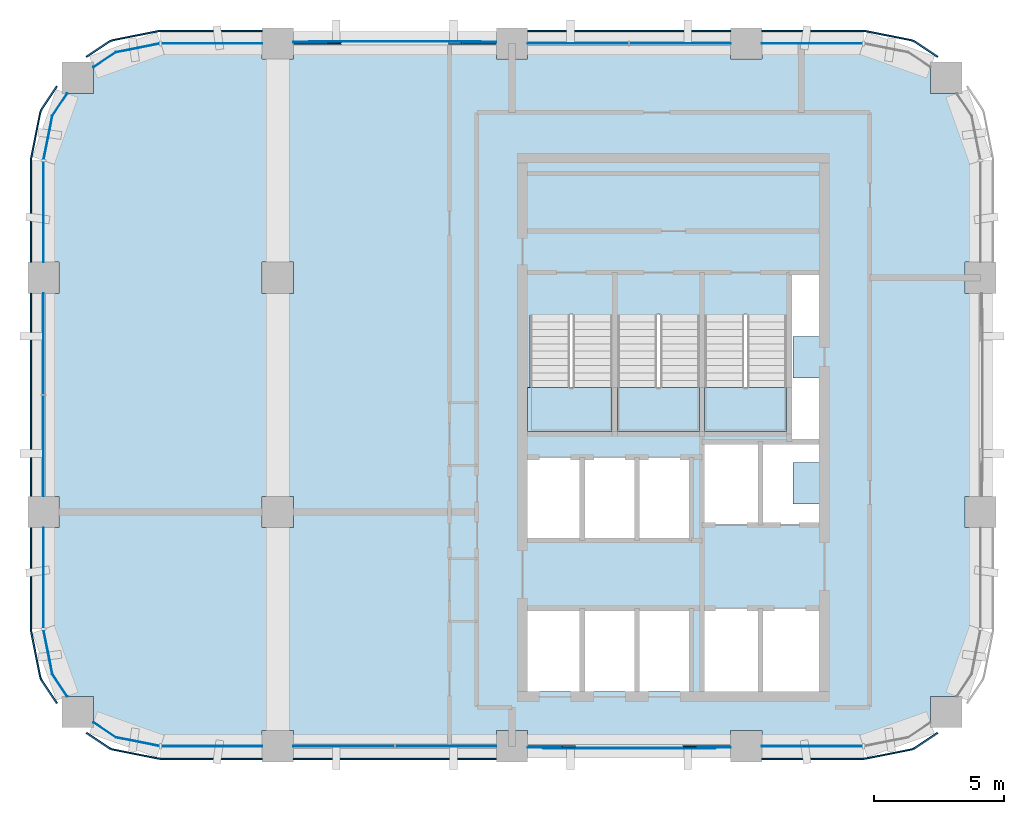
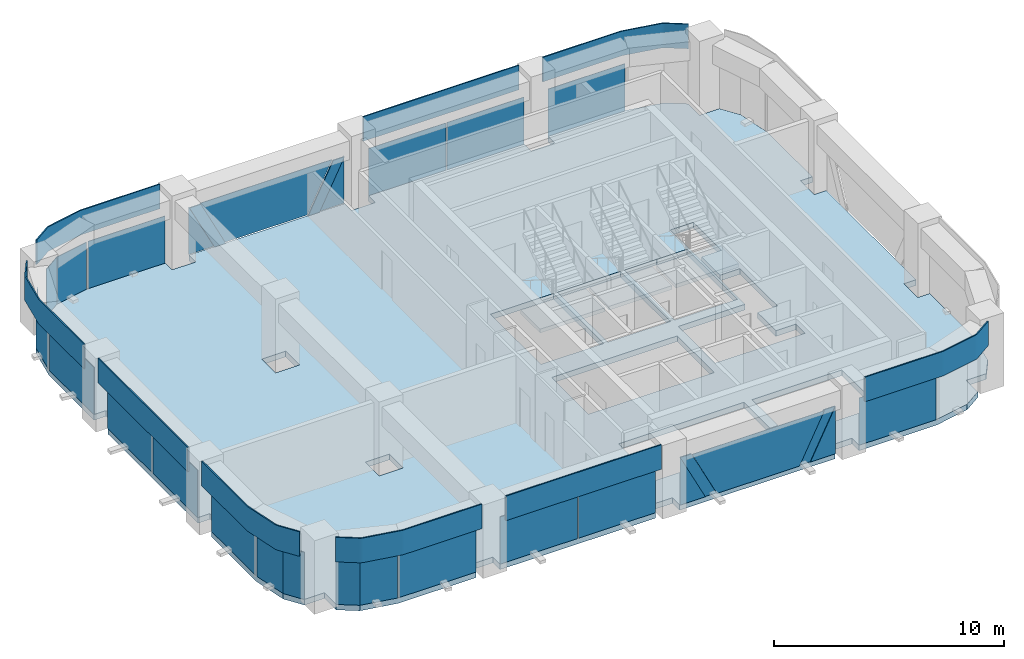
# One storey, part 5 of 9: 35 plates, 4 slabs, 14 elements without a shape of their own.
"""IFC4 building model written with IfcOpenShell, lengths in metres."""

from ifc_helpers import new_model, si_unit, direction, frame, origin, origin_2d, place, context, subcontext, project, spatial, polyline, rectangle, outline, extrude, material, layer, layer_set, type_object, element, aggregate, save


model = new_model("IFC4")

# Units and contexts
model_context = context("Model", 3, precision=1e-05, world=origin(), true_north=direction((0.0, 1.0)))
body_context = subcontext(model_context, "Body", "Model", "MODEL_VIEW")
ifc_project = project(units=[si_unit("LENGTHUNIT", "METRE"), si_unit("AREAUNIT", "SQUARE_METRE"), si_unit("VOLUMEUNIT", "CUBIC_METRE"), si_unit("PLANEANGLEUNIT", "RADIAN"), si_unit("MASSUNIT", "GRAM", prefix="KILO")], contexts=[model_context])

# Site, building, storey
site_placement = place(None, origin())
site = spatial("IfcSite", under=ifc_project, at=site_placement, CompositionType="ELEMENT")
building_placement = place(site_placement, origin())
building = spatial("IfcBuilding", under=site, at=building_placement, Name="Tessera Arch", CompositionType="ELEMENT")
storey_placement = place(building_placement, frame((0.0, 0.0, 277.39990234375)))
storey = spatial("IfcBuildingStorey", under=building, at=storey_placement, Name="L67", CompositionType="ELEMENT", Elevation=277.39990234375)

# Curtain wall, plates
ifc_material_1 = material(Name="CW1 curtain wall")
curtain_wall_type_1 = type_object("IfcCurtainWallType", Name="CW1 curtain wall", PredefinedType="NOTDEFINED", material=ifc_material_1)
curtain_wall_1_placement = place(storey_placement, origin())
curtain_wall_1 = element("IfcCurtainWall", 1, at=curtain_wall_1_placement, inside=storey, type_object=curtain_wall_type_1, Name="CW1 curtain wall N54.18/1 L67", PredefinedType="NOTDEFINED")
ifc_material_2 = material(Name="Clear low-e glass", Category="glass")
ifc_material_3 = material(Name="Clear low-e glass", Category="glass")
ifc_layer_1 = layer(ifc_material_3, 0.028076171875)
ifc_layer_set_1 = layer_set([ifc_layer_1], Name="CW1 glass panel")
plate_type_1 = type_object("IfcPlateType", Name="CW1 glass panel", PredefinedType="CURTAIN_PANEL", material=ifc_layer_set_1)
plate_1_placement = place(storey_placement, frame((42.465087890625, 54.0, 0.0), z_axis=(0.0, 0.0, 1.0), x_axis=(-1.0, 0.0, 0.0)))
plate_1 = element("IfcPlate", 2, at=plate_1_placement, type_object=plate_type_1, material=ifc_material_2, Name="CW1 glass panel N54.18/1 1.1.1", PredefinedType="CURTAIN_PANEL", context=body_context, shape_type="SweptSolid", body=[
    extrude(rectangle(XDim=3.8701171875, YDim=0.028076171875, at=origin_2d()), origin(), (0.0, 0.0, 1.0), 2.5),
])
plate_2_placement = place(storey_placement, frame((38.534912109375, 54.0, 0.0), z_axis=(0.0, 0.0, 1.0), x_axis=(-1.0, 0.0, 0.0)))
plate_2 = element("IfcPlate", 3, at=plate_2_placement, type_object=plate_type_1, material=ifc_material_2, Name="CW1 glass panel N54.18/1 1.2.1", PredefinedType="CURTAIN_PANEL", context=body_context, shape_type="SweptSolid", body=[
    extrude(rectangle(XDim=3.8701171875, YDim=0.028076171875, at=origin_2d()), origin(), (0.0, 0.0, 1.0), 2.5),
])

curtain_wall_2_placement = place(storey_placement, origin())
curtain_wall_2 = element("IfcCurtainWall", 4, at=curtain_wall_2_placement, inside=storey, type_object=curtain_wall_type_1, Name="CW1 curtain wall W18.27/1 L67", PredefinedType="NOTDEFINED")
plate_3_placement = place(storey_placement, frame((18.0, 42.465087890625, 0.0), z_axis=(0.0, 0.0, 1.0), x_axis=(0.0, -1.0, 0.0)))
plate_3 = element("IfcPlate", 5, at=plate_3_placement, type_object=plate_type_1, material=ifc_material_2, Name="CW1 glass panel W18.27/1 1.1.1", PredefinedType="CURTAIN_PANEL", context=body_context, shape_type="SweptSolid", body=[
    extrude(rectangle(XDim=3.8701171875, YDim=0.028076171875, at=origin_2d()), origin(), (0.0, 0.0, 1.0), 2.5),
])
plate_4_placement = place(storey_placement, frame((18.0, 38.534912109375, 0.0), z_axis=(0.0, 0.0, 1.0), x_axis=(0.0, -1.0, 0.0)))
plate_4 = element("IfcPlate", 6, at=plate_4_placement, type_object=plate_type_1, material=ifc_material_2, Name="CW1 glass panel W18.27/1 1.2.1", PredefinedType="CURTAIN_PANEL", context=body_context, shape_type="SweptSolid", body=[
    extrude(rectangle(XDim=3.8701171875, YDim=0.028076171875, at=origin_2d()), origin(), (0.0, 0.0, 1.0), 2.5),
])

curtain_wall_3_placement = place(storey_placement, origin())
curtain_wall_3 = element("IfcCurtainWall", 7, at=curtain_wall_3_placement, inside=storey, type_object=curtain_wall_type_1, Name="CW1 curtain wall S27.18/1 L67", PredefinedType="NOTDEFINED")
plate_5_placement = place(storey_placement, frame((29.534912109375, 27.0, 0.0), z_axis=(0.0, 0.0, 1.0), x_axis=(1.0, 0.0, 0.0)))
plate_5 = element("IfcPlate", 8, at=plate_5_placement, type_object=plate_type_1, material=ifc_material_2, Name="CW1 glass panel S27.18/1 1.1.1", PredefinedType="CURTAIN_PANEL", context=body_context, shape_type="SweptSolid", body=[
    extrude(rectangle(XDim=3.8701171875, YDim=0.028076171875, at=origin_2d()), origin(), (0.0, 0.0, 1.0), 2.5),
])
plate_6_placement = place(storey_placement, frame((33.465087890625, 27.0, 0.0), z_axis=(0.0, 0.0, 1.0), x_axis=(1.0, 0.0, 0.0)))
plate_6 = element("IfcPlate", 9, at=plate_6_placement, type_object=plate_type_1, material=ifc_material_2, Name="CW1 glass panel S27.18/1 1.2.1", PredefinedType="CURTAIN_PANEL", context=body_context, shape_type="SweptSolid", body=[
    extrude(rectangle(XDim=3.8701171875, YDim=0.028076171875, at=origin_2d()), origin(), (0.0, 0.0, 1.0), 2.5),
])

# Plate
ifc_material_4 = material(Name="Pale anodised aluminium panel", Category="aluminium")
ifc_layer_2 = layer(ifc_material_4, 0.06005859375)
ifc_layer_set_2 = layer_set([ifc_layer_2], Name="CW1 spandrel panel")
plate_type_2 = type_object("IfcPlateType", Name="CW1 spandrel panel", PredefinedType="CURTAIN_PANEL", material=ifc_layer_set_2)
plate_7_placement = place(storey_placement, frame((40.5, 54.47998046875, 2.60009765625), z_axis=(0.0, 0.0, 1.0), x_axis=(-1.0, 0.0, 0.0)))
plate_7 = element("IfcPlate", 10, at=plate_7_placement, type_object=plate_type_2, Name="CW1 spandrel panel N54.18/1", PredefinedType="CURTAIN_PANEL", context=body_context, shape_type="SweptSolid", body=[
    extrude(rectangle(XDim=7.800048828125, YDim=0.06005859375, at=origin_2d()), origin(), (0.0, 0.0, 1.0), 1.300048828125),
])

aggregate(curtain_wall_1, [plate_1, plate_2, plate_7])

plate_8_placement = place(storey_placement, frame((17.52001953125, 40.5, 2.60009765625), z_axis=(0.0, 0.0, 1.0), x_axis=(0.0, -1.0, 0.0)))
plate_8 = element("IfcPlate", 11, at=plate_8_placement, type_object=plate_type_2, Name="CW1 spandrel panel W18.27/1", PredefinedType="CURTAIN_PANEL", context=body_context, shape_type="SweptSolid", body=[
    extrude(rectangle(XDim=7.800048828125, YDim=0.06005859375, at=origin_2d()), origin(), (0.0, 0.0, 1.0), 1.300048828125),
])

aggregate(curtain_wall_2, [plate_3, plate_4, plate_8])

plate_9_placement = place(storey_placement, frame((31.5, 26.52001953125, 2.60009765625), z_axis=(0.0, 0.0, 1.0), x_axis=(1.0, 0.0, 0.0)))
plate_9 = element("IfcPlate", 12, at=plate_9_placement, type_object=plate_type_2, Name="CW1 spandrel panel S27.18/1", PredefinedType="CURTAIN_PANEL", context=body_context, shape_type="SweptSolid", body=[
    extrude(rectangle(XDim=7.800048828125, YDim=0.06005859375, at=origin_2d()), origin(), (0.0, 0.0, 1.0), 1.300048828125),
])

aggregate(curtain_wall_3, [plate_5, plate_6, plate_9])

# Curtain wall, plate
ifc_material_5 = material(Name="CW2 curtain wall")
curtain_wall_type_2 = type_object("IfcCurtainWallType", Name="CW2 curtain wall", PredefinedType="NOTDEFINED", material=ifc_material_5)
curtain_wall_4_placement = place(storey_placement, origin())
curtain_wall_4 = element("IfcCurtainWall", 13, at=curtain_wall_4_placement, inside=storey, type_object=curtain_wall_type_2, Name="CW2 curtain wall N54.18/0 L67", PredefinedType="NOTDEFINED")
ifc_material_6 = material(Name="Clear low-e glass", Category="glass")
ifc_layer_3 = layer(ifc_material_6, 0.028076171875)
ifc_layer_set_3 = layer_set([ifc_layer_3], Name="CW2 glass panel")
plate_type_3 = type_object("IfcPlateType", Name="CW2 glass panel", PredefinedType="CURTAIN_PANEL", material=ifc_layer_set_3)
plate_10_placement = place(storey_placement, frame((47.530029296875, 54.0, 0.0), z_axis=(0.0, 0.0, 1.0), x_axis=(-1.0, 0.0, 0.0)))
plate_10 = element("IfcPlate", 14, at=plate_10_placement, type_object=plate_type_3, material=ifc_material_2, Name="CW2 glass panel N54.18/0 1.1", PredefinedType="CURTAIN_PANEL", context=body_context, shape_type="SweptSolid", body=[
    extrude(rectangle(XDim=3.860107421875, YDim=0.028076171875, at=origin_2d()), origin(), (0.0, 0.0, 1.0), 2.5),
])

# Curtain wall, plates
curtain_wall_5_placement = place(storey_placement, origin())
curtain_wall_5 = element("IfcCurtainWall", 15, at=curtain_wall_5_placement, inside=storey, type_object=curtain_wall_type_2, Name="CW2 curtain wall N54.18/3 L67", PredefinedType="NOTDEFINED")
plate_11_placement = place(storey_placement, frame((24.469970703125, 54.0, 0.0), z_axis=(0.0, 0.0, 1.0), x_axis=(-1.0, 0.0, 0.0)))
plate_11 = element("IfcPlate", 16, at=plate_11_placement, type_object=plate_type_3, material=ifc_material_2, Name="CW2 glass panel N54.18/3 1.1", PredefinedType="CURTAIN_PANEL", context=body_context, shape_type="SweptSolid", body=[
    extrude(rectangle(XDim=3.860107421875, YDim=0.028076171875, at=origin_2d()), origin(), (0.0, 0.0, 1.0), 2.5),
])
plate_12_placement = place(storey_placement, origin())
plate_12 = element("IfcPlate", 17, at=plate_12_placement, type_object=plate_type_3, material=ifc_material_2, Name="CW2 curved glass panel N54.18/3 2.1", PredefinedType="CURTAIN_PANEL", context=body_context, shape_type="SweptSolid", body=[
    extrude(outline(polyline([(20.783447265625, 53.644287109375), (22.46337890625, 53.978515625), (22.4580078125, 54.005859375), (20.7724609375, 53.670654296875), (19.91015625, 53.094482421875), (19.92578125, 53.0712890625), (20.783447265625, 53.644287109375)])), origin(), (0.0, 0.0, 1.0), 2.5),
])

curtain_wall_6_placement = place(storey_placement, origin())
curtain_wall_6 = element("IfcCurtainWall", 18, at=curtain_wall_6_placement, inside=storey, type_object=curtain_wall_type_2, Name="CW2 curtain wall W18.27/0 L67", PredefinedType="NOTDEFINED")
plate_13_placement = place(storey_placement, frame((18.0, 47.530029296875, 0.0), z_axis=(0.0, 0.0, 1.0), x_axis=(0.0, -1.0, 0.0)))
plate_13 = element("IfcPlate", 19, at=plate_13_placement, type_object=plate_type_3, material=ifc_material_2, Name="CW2 glass panel W18.27/0 1.1", PredefinedType="CURTAIN_PANEL", context=body_context, shape_type="SweptSolid", body=[
    extrude(rectangle(XDim=3.860107421875, YDim=0.028076171875, at=origin_2d()), origin(), (0.0, 0.0, 1.0), 2.5),
])
plate_14_placement = place(storey_placement, origin())
plate_14 = element("IfcPlate", 20, at=plate_14_placement, type_object=plate_type_3, material=ifc_material_2, Name="CW2 curved glass panel W18.27/0 2.1", PredefinedType="CURTAIN_PANEL", context=body_context, shape_type="SweptSolid", body=[
    extrude(outline(polyline([(18.355712890625, 51.216552734375), (18.9287109375, 52.07421875), (18.905517578125, 52.08984375), (18.329345703125, 51.2275390625), (17.994140625, 49.5419921875), (18.021484375, 49.53662109375), (18.355712890625, 51.216552734375)])), origin(), (0.0, 0.0, 1.0), 2.5),
])

curtain_wall_7_placement = place(storey_placement, origin())
curtain_wall_7 = element("IfcCurtainWall", 21, at=curtain_wall_7_placement, inside=storey, type_object=curtain_wall_type_2, Name="CW2 curtain wall W18.27/2 L67", PredefinedType="NOTDEFINED")
plate_15_placement = place(storey_placement, frame((18.0, 33.469970703125, 0.0), z_axis=(0.0, 0.0, 1.0), x_axis=(0.0, -1.0, 0.0)))
plate_15 = element("IfcPlate", 22, at=plate_15_placement, type_object=plate_type_3, material=ifc_material_2, Name="CW2 glass panel W18.27/2 1.1", PredefinedType="CURTAIN_PANEL", context=body_context, shape_type="SweptSolid", body=[
    extrude(rectangle(XDim=3.860107421875, YDim=0.028076171875, at=origin_2d()), origin(), (0.0, 0.0, 1.0), 2.5),
])
plate_16_placement = place(storey_placement, origin())
plate_16 = element("IfcPlate", 23, at=plate_16_placement, type_object=plate_type_3, material=ifc_material_2, Name="CW2 curved glass panel W18.27/2 2.1", PredefinedType="CURTAIN_PANEL", context=body_context, shape_type="SweptSolid", body=[
    extrude(outline(polyline([(18.355712890625, 29.783447265625), (18.021484375, 31.46337890625), (17.994140625, 31.4580078125), (18.329345703125, 29.7724609375), (18.905517578125, 28.91015625), (18.9287109375, 28.92578125), (18.355712890625, 29.783447265625)])), origin(), (0.0, 0.0, 1.0), 2.5),
])

curtain_wall_8_placement = place(storey_placement, origin())
curtain_wall_8 = element("IfcCurtainWall", 24, at=curtain_wall_8_placement, inside=storey, type_object=curtain_wall_type_2, Name="CW2 curtain wall S27.18/0 L67", PredefinedType="NOTDEFINED")
plate_17_placement = place(storey_placement, frame((24.469970703125, 27.0, 0.0), z_axis=(0.0, 0.0, 1.0), x_axis=(1.0, 0.0, 0.0)))
plate_17 = element("IfcPlate", 25, at=plate_17_placement, type_object=plate_type_3, material=ifc_material_2, Name="CW2 glass panel S27.18/0 1.1", PredefinedType="CURTAIN_PANEL", context=body_context, shape_type="SweptSolid", body=[
    extrude(rectangle(XDim=3.860107421875, YDim=0.028076171875, at=origin_2d()), origin(), (0.0, 0.0, 1.0), 2.5),
])
plate_18_placement = place(storey_placement, origin())
plate_18 = element("IfcPlate", 26, at=plate_18_placement, type_object=plate_type_3, material=ifc_material_2, Name="CW2 curved glass panel S27.18/0 2.1", PredefinedType="CURTAIN_PANEL", context=body_context, shape_type="SweptSolid", body=[
    extrude(outline(polyline([(20.783447265625, 27.355712890625), (19.92578125, 27.9287109375), (19.91015625, 27.905517578125), (20.7724609375, 27.329345703125), (22.4580078125, 26.994140625), (22.46337890625, 27.021484375), (20.783447265625, 27.355712890625)])), origin(), (0.0, 0.0, 1.0), 2.5),
])

# Curtain wall, plate
curtain_wall_9_placement = place(storey_placement, origin())
curtain_wall_9 = element("IfcCurtainWall", 27, at=curtain_wall_9_placement, inside=storey, type_object=curtain_wall_type_2, Name="CW2 curtain wall S27.18/3 L67", PredefinedType="NOTDEFINED")
plate_19_placement = place(storey_placement, frame((47.530029296875, 27.0, 0.0), z_axis=(0.0, 0.0, 1.0), x_axis=(1.0, 0.0, 0.0)))
plate_19 = element("IfcPlate", 28, at=plate_19_placement, type_object=plate_type_3, material=ifc_material_2, Name="CW2 glass panel S27.18/3 1.1", PredefinedType="CURTAIN_PANEL", context=body_context, shape_type="SweptSolid", body=[
    extrude(rectangle(XDim=3.860107421875, YDim=0.028076171875, at=origin_2d()), origin(), (0.0, 0.0, 1.0), 2.5),
])

# Plate
ifc_material_7 = material(Name="Pale anodised aluminium panel", Category="aluminium")
ifc_layer_4 = layer(ifc_material_7, 0.06005859375)
ifc_layer_set_4 = layer_set([ifc_layer_4], Name="CW2 spandrel panel")
plate_type_4 = type_object("IfcPlateType", Name="CW2 spandrel panel", PredefinedType="CURTAIN_PANEL", material=ifc_layer_set_4)
plate_20_placement = place(storey_placement, frame((0.0, 0.0, 2.60009765625)))
plate_20 = element("IfcPlate", 29, at=plate_20_placement, type_object=plate_type_4, Name="CW2 spandrel panel N54.18/0", PredefinedType="CURTAIN_PANEL", context=body_context, shape_type="SweptSolid", body=[
    extrude(outline(polyline([(51.47265625, 54.03125), (52.33203125, 53.45703125), (52.365234375, 53.5068359375), (51.5048828125, 54.08203125), (51.462646484375, 54.107421875), (51.417236328125, 54.128662109375), (51.3701171875, 54.1455078125), (51.322265625, 54.157470703125), (49.598876953125, 54.500244140625), (49.550048828125, 54.507568359375), (49.500732421875, 54.510009765625), (45.60009765625, 54.510009765625), (45.60009765625, 54.449951171875), (49.499267578125, 54.449951171875), (49.544189453125, 54.44775390625), (49.588623046875, 54.441162109375), (51.30908203125, 54.09912109375), (51.352783203125, 54.088134765625), (51.394287109375, 54.0732421875), (51.434326171875, 54.054443359375), (51.47265625, 54.03125)])), origin(), (0.0, 0.0, 1.0), 1.300048828125),
])

aggregate(curtain_wall_4, [plate_10, plate_20])

plate_21_placement = place(storey_placement, frame((0.0, 0.0, 2.60009765625)))
plate_21 = element("IfcPlate", 30, at=plate_21_placement, type_object=plate_type_4, Name="CW2 spandrel panel N54.18/3", PredefinedType="CURTAIN_PANEL", context=body_context, shape_type="SweptSolid", body=[
    extrude(outline(polyline([(22.500732421875, 54.449951171875), (26.39990234375, 54.449951171875), (26.39990234375, 54.510009765625), (22.499267578125, 54.510009765625), (22.449951171875, 54.507568359375), (22.401123046875, 54.500244140625), (20.677734375, 54.157470703125), (20.6298828125, 54.1455078125), (20.582763671875, 54.128662109375), (20.537353515625, 54.107421875), (20.4951171875, 54.08203125), (19.634765625, 53.5068359375), (19.66796875, 53.45703125), (20.52734375, 54.03125), (20.565673828125, 54.054443359375), (20.605712890625, 54.0732421875), (20.647216796875, 54.088134765625), (20.69091796875, 54.09912109375), (22.411376953125, 54.441162109375), (22.455810546875, 54.44775390625), (22.500732421875, 54.449951171875)])), origin(), (0.0, 0.0, 1.0), 1.300048828125),
])

aggregate(curtain_wall_5, [plate_11, plate_12, plate_21])

plate_22_placement = place(storey_placement, frame((0.0, 0.0, 2.60009765625)))
plate_22 = element("IfcPlate", 31, at=plate_22_placement, type_object=plate_type_4, Name="CW2 spandrel panel W18.27/0", PredefinedType="CURTAIN_PANEL", context=body_context, shape_type="SweptSolid", body=[
    extrude(outline(polyline([(17.96875, 51.47265625), (18.54296875, 52.33203125), (18.4931640625, 52.365234375), (17.91796875, 51.5048828125), (17.892578125, 51.462646484375), (17.871337890625, 51.417236328125), (17.8544921875, 51.3701171875), (17.842529296875, 51.322265625), (17.499755859375, 49.598876953125), (17.492431640625, 49.550048828125), (17.489990234375, 49.500732421875), (17.489990234375, 45.60009765625), (17.550048828125, 45.60009765625), (17.550048828125, 49.499267578125), (17.55224609375, 49.544189453125), (17.558837890625, 49.588623046875), (17.90087890625, 51.30908203125), (17.911865234375, 51.352783203125), (17.9267578125, 51.394287109375), (17.945556640625, 51.434326171875), (17.96875, 51.47265625)])), origin(), (0.0, 0.0, 1.0), 1.300048828125),
])

aggregate(curtain_wall_6, [plate_13, plate_14, plate_22])

plate_23_placement = place(storey_placement, frame((0.0, 0.0, 2.60009765625)))
plate_23 = element("IfcPlate", 32, at=plate_23_placement, type_object=plate_type_4, Name="CW2 spandrel panel W18.27/2", PredefinedType="CURTAIN_PANEL", context=body_context, shape_type="SweptSolid", body=[
    extrude(outline(polyline([(17.550048828125, 31.500732421875), (17.550048828125, 35.39990234375), (17.489990234375, 35.39990234375), (17.489990234375, 31.499267578125), (17.492431640625, 31.449951171875), (17.499755859375, 31.401123046875), (17.842529296875, 29.677734375), (17.8544921875, 29.6298828125), (17.871337890625, 29.582763671875), (17.892578125, 29.537353515625), (17.91796875, 29.4951171875), (18.4931640625, 28.634765625), (18.54296875, 28.66796875), (17.96875, 29.52734375), (17.945556640625, 29.565673828125), (17.9267578125, 29.605712890625), (17.911865234375, 29.647216796875), (17.90087890625, 29.69091796875), (17.558837890625, 31.411376953125), (17.55224609375, 31.455810546875), (17.550048828125, 31.500732421875)])), origin(), (0.0, 0.0, 1.0), 1.300048828125),
])

aggregate(curtain_wall_7, [plate_15, plate_16, plate_23])

plate_24_placement = place(storey_placement, frame((0.0, 0.0, 2.60009765625)))
plate_24 = element("IfcPlate", 33, at=plate_24_placement, type_object=plate_type_4, Name="CW2 spandrel panel S27.18/0", PredefinedType="CURTAIN_PANEL", context=body_context, shape_type="SweptSolid", body=[
    extrude(outline(polyline([(20.52734375, 26.96875), (19.66796875, 27.54296875), (19.634765625, 27.4931640625), (20.4951171875, 26.91796875), (20.537353515625, 26.892578125), (20.582763671875, 26.871337890625), (20.6298828125, 26.8544921875), (20.677734375, 26.842529296875), (22.401123046875, 26.499755859375), (22.449951171875, 26.492431640625), (22.499267578125, 26.489990234375), (26.39990234375, 26.489990234375), (26.39990234375, 26.550048828125), (22.500732421875, 26.550048828125), (22.455810546875, 26.55224609375), (22.411376953125, 26.558837890625), (20.69091796875, 26.90087890625), (20.647216796875, 26.911865234375), (20.605712890625, 26.9267578125), (20.565673828125, 26.945556640625), (20.52734375, 26.96875)])), origin(), (0.0, 0.0, 1.0), 1.300048828125),
])

aggregate(curtain_wall_8, [plate_17, plate_18, plate_24])

plate_25_placement = place(storey_placement, frame((0.0, 0.0, 2.60009765625)))
plate_25 = element("IfcPlate", 34, at=plate_25_placement, type_object=plate_type_4, Name="CW2 spandrel panel S27.18/3", PredefinedType="CURTAIN_PANEL", context=body_context, shape_type="SweptSolid", body=[
    extrude(outline(polyline([(49.499267578125, 26.550048828125), (45.60009765625, 26.550048828125), (45.60009765625, 26.489990234375), (49.500732421875, 26.489990234375), (49.550048828125, 26.492431640625), (49.598876953125, 26.499755859375), (51.322265625, 26.842529296875), (51.3701171875, 26.8544921875), (51.417236328125, 26.871337890625), (51.462646484375, 26.892578125), (51.5048828125, 26.91796875), (52.365234375, 27.4931640625), (52.33203125, 27.54296875), (51.47265625, 26.96875), (51.434326171875, 26.945556640625), (51.394287109375, 26.9267578125), (51.352783203125, 26.911865234375), (51.30908203125, 26.90087890625), (49.588623046875, 26.558837890625), (49.544189453125, 26.55224609375), (49.499267578125, 26.550048828125)])), origin(), (0.0, 0.0, 1.0), 1.300048828125),
])

aggregate(curtain_wall_9, [plate_19, plate_25])

# Curtain wall, plates
ifc_material_8 = material(Name="CW3 curtain wall")
curtain_wall_type_3 = type_object("IfcCurtainWallType", Name="CW3 curtain wall", PredefinedType="NOTDEFINED", material=ifc_material_8)
curtain_wall_10_placement = place(storey_placement, origin())
curtain_wall_10 = element("IfcCurtainWall", 35, at=curtain_wall_10_placement, inside=storey, type_object=curtain_wall_type_3, Name="CW3 curtain wall N54.18/2 L67", PredefinedType="NOTDEFINED")
ifc_material_9 = material(Name="Pale anodised aluminium panel", Category="aluminium")
ifc_layer_5 = layer(ifc_material_9, 0.06005859375)
ifc_layer_set_5 = layer_set([ifc_layer_5], Name="CW3 diagonal panel")
plate_type_5 = type_object("IfcPlateType", Name="CW3 diagonal panel", PredefinedType="CURTAIN_PANEL", material=ifc_layer_set_5)
plate_26_placement = place(storey_placement, frame((27.61767578125, 54.030029296875, 2.5), z_axis=(0.0, 1.0, 0.0), x_axis=(1.0, 0.0, 0.0)))
plate_26 = element("IfcPlate", 36, at=plate_26_placement, type_object=plate_type_5, Name="CW3 diagonal panel N54.18/2 1", PredefinedType="CURTAIN_PANEL", context=body_context, shape_type="SweptSolid", body=[
    extrude(outline(polyline([(0.0, 0.0), (0.564697265625, 0.0), (1.814697265625, 2.5), (1.25, 2.5), (0.0, 0.0)])), origin(), (0.0, 0.0, -1.0), 0.06005859375),
])
plate_27_placement = place(storey_placement, frame((34.817626953125, 54.030029296875, 2.5), z_axis=(0.0, 1.0, 0.0), x_axis=(1.0, 0.0, 0.0)))
plate_27 = element("IfcPlate", 37, at=plate_27_placement, type_object=plate_type_5, Name="CW3 diagonal panel N54.18/2 2", PredefinedType="CURTAIN_PANEL", context=body_context, shape_type="SweptSolid", body=[
    extrude(outline(polyline([(0.0, 0.0), (0.564697265625, 0.0), (-0.685302734375, 2.5), (-1.25, 2.5), (0.0, 0.0)])), origin(), (0.0, 0.0, -1.0), 0.06005859375),
])

curtain_wall_11_placement = place(storey_placement, origin())
curtain_wall_11 = element("IfcCurtainWall", 38, at=curtain_wall_11_placement, inside=storey, type_object=curtain_wall_type_3, Name="CW3 curtain wall S27.18/2 L67", PredefinedType="NOTDEFINED")
plate_28_placement = place(storey_placement, frame((44.38232421875, 26.969970703125, 2.5), z_axis=(0.0, -1.0, 0.0), x_axis=(-1.0, 0.0, 0.0)))
plate_28 = element("IfcPlate", 39, at=plate_28_placement, type_object=plate_type_5, Name="CW3 diagonal panel S27.18/2 1", PredefinedType="CURTAIN_PANEL", context=body_context, shape_type="SweptSolid", body=[
    extrude(outline(polyline([(0.0, 0.0), (0.564697265625, 0.0), (1.814697265625, 2.5), (1.25, 2.5), (0.0, 0.0)])), origin(), (0.0, 0.0, -1.0), 0.06005859375),
])
plate_29_placement = place(storey_placement, frame((37.182373046875, 26.969970703125, 2.5), z_axis=(0.0, -1.0, 0.0), x_axis=(-1.0, 0.0, 0.0)))
plate_29 = element("IfcPlate", 40, at=plate_29_placement, type_object=plate_type_5, Name="CW3 diagonal panel S27.18/2 2", PredefinedType="CURTAIN_PANEL", context=body_context, shape_type="SweptSolid", body=[
    extrude(outline(polyline([(0.0, 0.0), (0.564697265625, 0.0), (-0.685302734375, 2.5), (-1.25, 2.5), (0.0, 0.0)])), origin(), (0.0, 0.0, -1.0), 0.06005859375),
])

# Plate
ifc_material_10 = material(Name="Clear low-e glass", Category="glass")
ifc_layer_6 = layer(ifc_material_10, 0.028076171875)
ifc_layer_set_6 = layer_set([ifc_layer_6], Name="CW3 glass panel")
plate_type_6 = type_object("IfcPlateType", Name="CW3 glass panel", PredefinedType="CURTAIN_PANEL", material=ifc_layer_set_6)
plate_30_placement = place(storey_placement, frame((35.39990234375, 54.05810546875, 0.0), z_axis=(0.0, 1.0, 0.0), x_axis=(-1.0, 0.0, 0.0)))
plate_30 = element("IfcPlate", 41, at=plate_30_placement, type_object=plate_type_6, material=ifc_material_2, Name="CW3 triangulated glass panel N54.18/2 1", PredefinedType="CURTAIN_PANEL", context=body_context, shape_type="SweptSolid", body=[
    extrude(outline(polyline([(0.0, 0.0), (1.267578125, 0.0), (0.017578125, 2.5), (0.0, 2.5), (0.0, 0.0)])), origin(), (0.0, 0.0, -1.0), 0.028076171875),
])

plate_31_placement = place(storey_placement, frame((28.182373046875, 54.0859375, 2.5), z_axis=(0.0, 1.0, 0.0), x_axis=(1.0, 0.0, 0.0)))
plate_31 = element("IfcPlate", 42, at=plate_31_placement, type_object=plate_type_6, material=ifc_material_2, Name="CW3 triangulated glass panel N54.18/2 2", PredefinedType="CURTAIN_PANEL", context=body_context, shape_type="SweptSolid", body=[
    extrude(outline(polyline([(0.0, 0.0), (6.63525390625, 0.0), (5.38525390625, 2.5), (1.25, 2.5), (0.0, 0.0)])), origin(), (0.0, 0.0, -1.0), 0.028076171875),
])

plate_32_placement = place(storey_placement, frame((27.60009765625, 54.05810546875, 2.5), z_axis=(0.0, 1.0, 0.0), x_axis=(1.0, 0.0, 0.0)))
plate_32 = element("IfcPlate", 43, at=plate_32_placement, type_object=plate_type_6, material=ifc_material_2, Name="CW3 triangulated glass panel N54.18/2 3", PredefinedType="CURTAIN_PANEL", context=body_context, shape_type="SweptSolid", body=[
    extrude(outline(polyline([(0.0, 0.0), (0.017578125, 0.0), (1.267578125, 2.5), (0.0, 2.5), (0.0, 0.0)])), origin(), (0.0, 0.0, -1.0), 0.028076171875),
])

aggregate(curtain_wall_10, [plate_30, plate_31, plate_32, plate_26, plate_27])

plate_33_placement = place(storey_placement, frame((36.60009765625, 26.94189453125, 0.0), z_axis=(0.0, -1.0, 0.0), x_axis=(1.0, 0.0, 0.0)))
plate_33 = element("IfcPlate", 44, at=plate_33_placement, type_object=plate_type_6, material=ifc_material_2, Name="CW3 triangulated glass panel S27.18/2 1", PredefinedType="CURTAIN_PANEL", context=body_context, shape_type="SweptSolid", body=[
    extrude(outline(polyline([(0.0, 0.0), (1.267578125, 0.0), (0.017578125, 2.5), (0.0, 2.5), (0.0, 0.0)])), origin(), (0.0, 0.0, -1.0), 0.028076171875),
])

plate_34_placement = place(storey_placement, frame((43.817626953125, 26.9140625, 2.5), z_axis=(0.0, -1.0, 0.0), x_axis=(-1.0, 0.0, 0.0)))
plate_34 = element("IfcPlate", 45, at=plate_34_placement, type_object=plate_type_6, material=ifc_material_2, Name="CW3 triangulated glass panel S27.18/2 2", PredefinedType="CURTAIN_PANEL", context=body_context, shape_type="SweptSolid", body=[
    extrude(outline(polyline([(0.0, 0.0), (6.63525390625, 0.0), (5.38525390625, 2.5), (1.25, 2.5), (0.0, 0.0)])), origin(), (0.0, 0.0, -1.0), 0.028076171875),
])

plate_35_placement = place(storey_placement, frame((44.39990234375, 26.94189453125, 2.5), z_axis=(0.0, -1.0, 0.0), x_axis=(-1.0, 0.0, 0.0)))
plate_35 = element("IfcPlate", 46, at=plate_35_placement, type_object=plate_type_6, material=ifc_material_2, Name="CW3 triangulated glass panel S27.18/2 3", PredefinedType="CURTAIN_PANEL", context=body_context, shape_type="SweptSolid", body=[
    extrude(outline(polyline([(0.0, 0.0), (0.017578125, 0.0), (1.267578125, 2.5), (0.0, 2.5), (0.0, 0.0)])), origin(), (0.0, 0.0, -1.0), 0.028076171875),
])

aggregate(curtain_wall_11, [plate_33, plate_34, plate_35, plate_28, plate_29])

# Slab
ifc_material_11 = material(Name="Concrete C40/50", Category="concrete")
ifc_layer_7 = layer(ifc_material_11, 0.300048828125)
ifc_layer_set_7 = layer_set([ifc_layer_7], Name="Floor slab 300 Concrete C40/50")
slab_type_1 = type_object("IfcSlabType", Name="Floor slab 300 Concrete C40/50", PredefinedType="FLOOR", material=ifc_layer_set_7)
slab_1_placement = place(storey_placement, frame((0.0, 0.0, -0.2998046875)))
element("IfcSlab", 47, at=slab_1_placement, inside=storey, type_object=slab_type_1, Name="Floor slab L67 1", PredefinedType="FLOOR", context=body_context, shape_type="SweptSolid", body=[
    extrude(outline(polyline([(54.0, 31.5), (53.657470703125, 29.77783203125), (53.0830078125, 28.91796875), (52.08203125, 28.91796875), (52.08203125, 27.9169921875), (51.22216796875, 27.342529296875), (49.5, 27.0), (45.60009765625, 27.0), (45.60009765625, 27.60009765625), (44.39990234375, 27.60009765625), (44.39990234375, 27.0), (36.60009765625, 27.0), (36.60009765625, 27.60009765625), (35.39990234375, 27.60009765625), (35.39990234375, 27.0), (27.60009765625, 27.0), (27.60009765625, 27.60009765625), (26.39990234375, 27.60009765625), (26.39990234375, 27.0), (22.5, 27.0), (20.77783203125, 27.342529296875), (19.91796875, 27.9169921875), (19.91796875, 28.91796875), (18.9169921875, 28.91796875), (18.342529296875, 29.77783203125), (18.0, 31.5), (18.0, 35.39990234375), (18.60009765625, 35.39990234375), (18.60009765625, 36.60009765625), (18.0, 36.60009765625), (18.0, 44.39990234375), (18.60009765625, 44.39990234375), (18.60009765625, 45.60009765625), (18.0, 45.60009765625), (18.0, 49.5), (18.342529296875, 51.22216796875), (18.9169921875, 52.08203125), (19.91796875, 52.08203125), (19.91796875, 53.0830078125), (20.77783203125, 53.657470703125), (22.5, 54.0), (26.39990234375, 54.0), (26.39990234375, 53.39990234375), (27.60009765625, 53.39990234375), (27.60009765625, 54.0), (35.39990234375, 54.0), (35.39990234375, 53.39990234375), (36.60009765625, 53.39990234375), (36.60009765625, 54.0), (44.39990234375, 54.0), (44.39990234375, 53.39990234375), (45.60009765625, 53.39990234375), (45.60009765625, 54.0), (49.5, 54.0), (51.22216796875, 53.657470703125), (52.08203125, 53.0830078125), (52.08203125, 52.08203125), (53.0830078125, 52.08203125), (53.657470703125, 51.22216796875), (54.0, 49.5), (54.0, 45.60009765625), (53.39990234375, 45.60009765625), (53.39990234375, 44.39990234375), (54.0, 44.39990234375), (54.0, 36.60009765625), (53.39990234375, 36.60009765625), (53.39990234375, 35.39990234375), (54.0, 35.39990234375), (54.0, 31.5)]), holes=[polyline([(40.800048828125, 29.10009765625), (42.89990234375, 29.10009765625), (42.89990234375, 32.300048828125), (40.800048828125, 32.300048828125), (38.699951171875, 32.300048828125), (36.60009765625, 32.300048828125), (36.60009765625, 29.10009765625), (38.699951171875, 29.10009765625), (40.800048828125, 29.10009765625)]), polyline([(27.60009765625, 35.39990234375), (27.60009765625, 36.60009765625), (26.39990234375, 36.60009765625), (26.39990234375, 35.39990234375), (27.60009765625, 35.39990234375)]), polyline([(40.800048828125, 34.89990234375), (42.89990234375, 34.89990234375), (42.89990234375, 38.10009765625), (40.800048828125, 38.10009765625), (38.699951171875, 38.10009765625), (36.60009765625, 38.10009765625), (36.60009765625, 34.89990234375), (38.699951171875, 34.89990234375), (40.800048828125, 34.89990234375)]), polyline([(38.219970703125, 43.580078125), (38.219970703125, 43.570068359375), (36.699951171875, 43.570068359375), (36.699951171875, 39.199951171875), (39.85009765625, 39.199951171875), (39.85009765625, 43.570068359375), (38.330078125, 43.570068359375), (38.330078125, 43.580078125), (38.219970703125, 43.580078125)]), polyline([(27.60009765625, 44.39990234375), (27.60009765625, 45.60009765625), (26.39990234375, 45.60009765625), (26.39990234375, 44.39990234375), (27.60009765625, 44.39990234375)]), polyline([(47.800048828125, 32.300048828125), (45.550048828125, 32.300048828125), (43.300048828125, 32.300048828125), (43.300048828125, 29.10009765625), (45.550048828125, 29.10009765625), (47.800048828125, 29.10009765625), (47.800048828125, 32.300048828125)]), polyline([(46.64990234375, 38.699951171875), (45.550048828125, 38.699951171875), (43.300048828125, 38.699951171875), (43.300048828125, 35.5), (45.550048828125, 35.5), (47.800048828125, 35.5), (47.800048828125, 36.300048828125), (46.800048828125, 36.300048828125), (46.800048828125, 37.89990234375), (47.800048828125, 37.89990234375), (47.800048828125, 38.699951171875), (47.800048828125, 41.14990234375), (46.800048828125, 41.14990234375), (46.800048828125, 42.75), (47.800048828125, 42.75), (47.800048828125, 45.199951171875), (46.64990234375, 45.199951171875), (46.64990234375, 38.699951171875)]), polyline([(41.570068359375, 43.580078125), (41.570068359375, 43.570068359375), (40.050048828125, 43.570068359375), (40.050048828125, 39.199951171875), (43.199951171875, 39.199951171875), (43.199951171875, 43.570068359375), (41.679931640625, 43.570068359375), (41.679931640625, 43.580078125), (41.570068359375, 43.580078125)]), polyline([(44.919921875, 43.580078125), (44.919921875, 43.570068359375), (43.39990234375, 43.570068359375), (43.39990234375, 39.199951171875), (46.550048828125, 39.199951171875), (46.550048828125, 43.570068359375), (45.030029296875, 43.570068359375), (45.030029296875, 43.580078125), (44.919921875, 43.580078125)])]), origin(), (0.0, 0.0, 1.0), 0.2998046875),
])

# Stair, slab
ifc_material_12 = material(Name="Concrete C40/50", Category="concrete")
stair_type = type_object("IfcStairType", Name="Dogleg stair 1520", PredefinedType="HALF_TURN_STAIR", material=ifc_material_12)
stair_1_placement = place(storey_placement, origin())
stair_1 = element("IfcStair", 48, at=stair_1_placement, inside=storey, type_object=stair_type, Name="L67 S1a", PredefinedType="HALF_TURN_STAIR")
ifc_material_13 = material(Name="Concrete C40/50", Category="concrete")
ifc_layer_8 = layer(ifc_material_13, 0.300048828125)
ifc_layer_set_8 = layer_set([ifc_layer_8], Name="Stair landing 300")
slab_type_2 = type_object("IfcSlabType", Name="Stair landing 300", PredefinedType="LANDING", material=ifc_layer_set_8)
slab_2_placement = place(storey_placement, frame((0.0, 0.0, 1.75)))
slab_2 = element("IfcSlab", 49, at=slab_2_placement, type_object=slab_type_2, Name="S1a landing 1", PredefinedType="LANDING", context=body_context, shape_type="SweptSolid", body=[
    extrude(outline(polyline([(36.60009765625, 40.780029296875), (36.60009765625, 39.10009765625), (39.85009765625, 39.10009765625), (39.85009765625, 40.780029296875), (36.60009765625, 40.780029296875)])), origin(), (0.0, 0.0, 1.0), 0.2001953125),
])
aggregate(stair_1, [slab_2])

stair_2_placement = place(storey_placement, origin())
stair_2 = element("IfcStair", 50, at=stair_2_placement, inside=storey, type_object=stair_type, Name="L67 S1b", PredefinedType="HALF_TURN_STAIR")
slab_3_placement = place(storey_placement, frame((0.0, 0.0, 1.75)))
slab_3 = element("IfcSlab", 51, at=slab_3_placement, type_object=slab_type_2, Name="S1b landing 1", PredefinedType="LANDING", context=body_context, shape_type="SweptSolid", body=[
    extrude(outline(polyline([(40.050048828125, 40.780029296875), (40.050048828125, 39.10009765625), (43.199951171875, 39.10009765625), (43.199951171875, 40.780029296875), (40.050048828125, 40.780029296875)])), origin(), (0.0, 0.0, 1.0), 0.2001953125),
])
aggregate(stair_2, [slab_3])

stair_3_placement = place(storey_placement, origin())
stair_3 = element("IfcStair", 52, at=stair_3_placement, inside=storey, type_object=stair_type, Name="L67 S1c", PredefinedType="HALF_TURN_STAIR")
slab_4_placement = place(storey_placement, frame((0.0, 0.0, 1.75)))
slab_4 = element("IfcSlab", 53, at=slab_4_placement, type_object=slab_type_2, Name="S1c landing 1", PredefinedType="LANDING", context=body_context, shape_type="SweptSolid", body=[
    extrude(outline(polyline([(43.39990234375, 40.780029296875), (43.39990234375, 39.10009765625), (46.550048828125, 39.10009765625), (46.550048828125, 40.780029296875), (43.39990234375, 40.780029296875)])), origin(), (0.0, 0.0, 1.0), 0.2001953125),
])
aggregate(stair_3, [slab_4])

save(model, "model.ifc")
